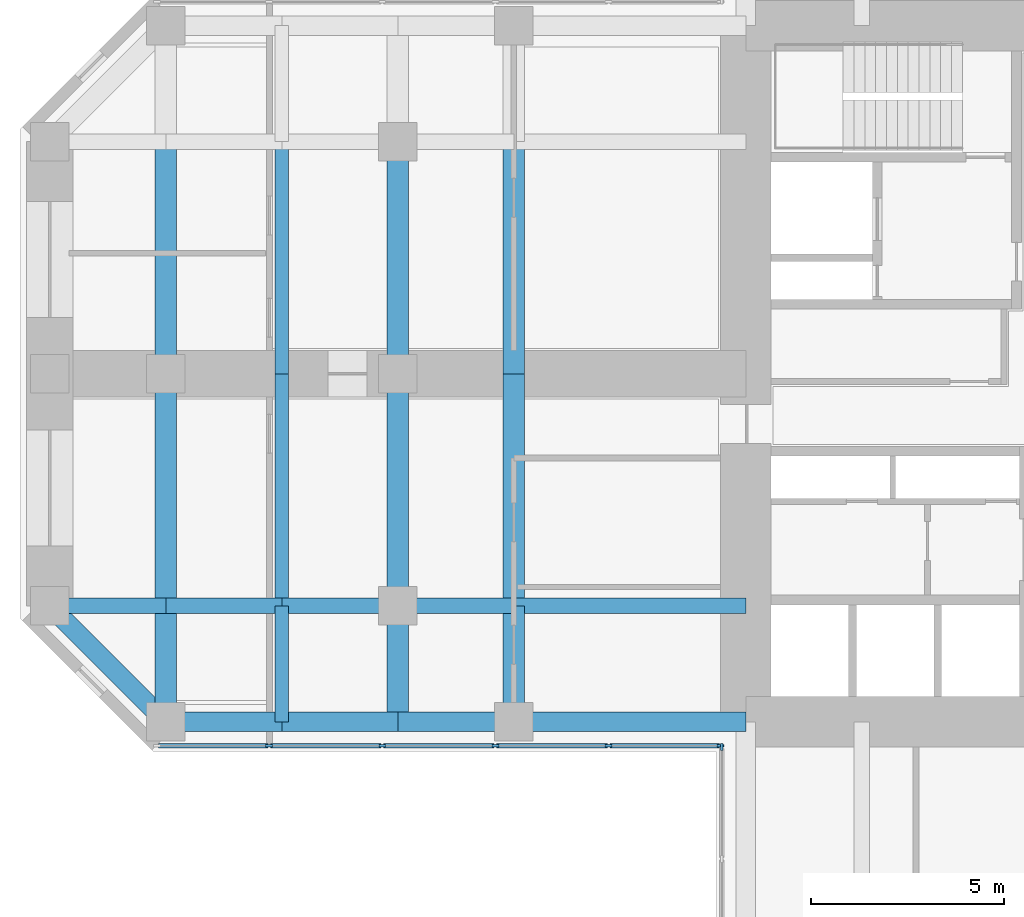
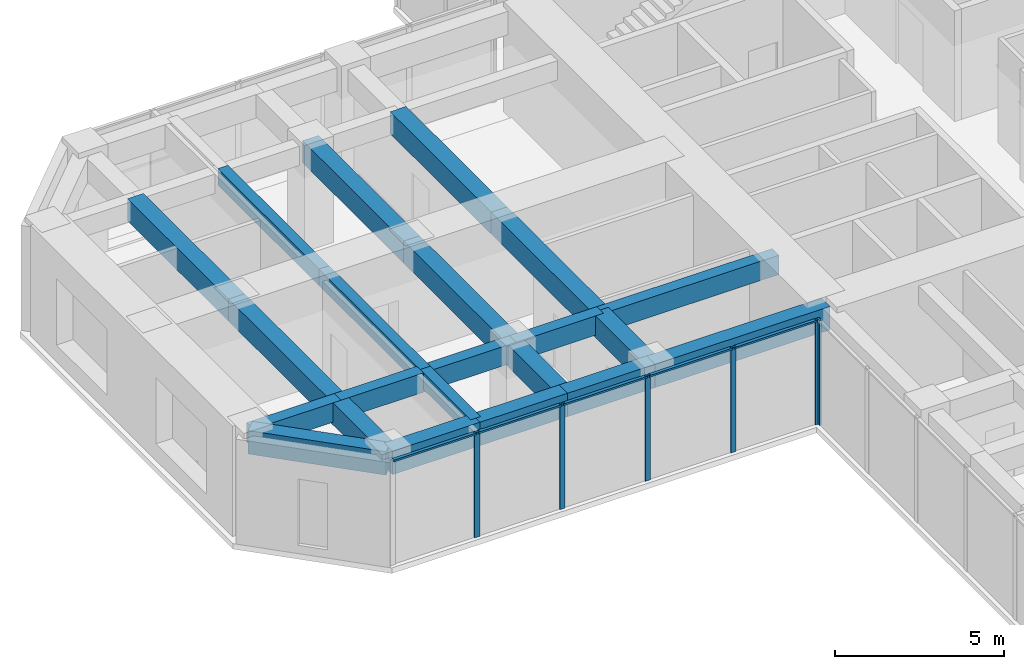
# One storey, part 3 of 13: 22 beams, 11 members, 2 elements without a shape of their own.
"""IFC4 building model written with IfcOpenShell, lengths in metres."""

from ifc_helpers import new_model, si_unit, direction, frame, origin, origin_2d, place, context, subcontext, project, spatial, rectangle, extrude, material, material_profile, profile_set, type_object, element, aggregate, save


model = new_model("IFC4")

# Units and contexts
model_context = context("Model", 3, precision=1e-05, world=origin(), true_north=direction((0.0, 1.0)))
body_context = subcontext(model_context, "Body", "Model", "MODEL_VIEW")
ifc_project = project(units=[si_unit("LENGTHUNIT", "METRE"), si_unit("AREAUNIT", "SQUARE_METRE"), si_unit("VOLUMEUNIT", "CUBIC_METRE"), si_unit("PLANEANGLEUNIT", "RADIAN"), si_unit("MASSUNIT", "GRAM", prefix="KILO")], contexts=[model_context])

# Site, building, storey
site_placement = place(None, origin())
site = spatial("IfcSite", under=ifc_project, at=site_placement, CompositionType="ELEMENT")
building_placement = place(site_placement, origin())
building = spatial("IfcBuilding", under=site, at=building_placement, Name="Torre Cruceta", CompositionType="ELEMENT")
storey_placement = place(building_placement, frame((0.0, 0.0, 152.5)))
storey = spatial("IfcBuildingStorey", under=building, at=storey_placement, Name="L37", CompositionType="ELEMENT", Elevation=152.5)

# Beams
ifc_material_1 = material(Name="Concrete G60 (fck 60 MPa)", Category="concrete")
ifc_material_profile_1 = material_profile(ifc_material_1, rectangle(XDim=0.39990234375, YDim=0.699951171875, at=origin_2d()), Name="RC 400X700")
ifc_profile_set_1 = profile_set([ifc_material_profile_1], Name="Concrete G60 (fck 60 MPa)")
beam_type_1 = type_object("IfcBeamType", Name="COLUMN LINE BEAM RC 400X700", PredefinedType="BEAM", material=ifc_profile_set_1)
beam_1_placement = place(storey_placement, frame((-9.0, -6.0, 3.449951171875), z_axis=(-1.0, 0.0, 0.0), x_axis=(0.0, -1.0, 0.0)))
element("IfcBeam", 1, at=beam_1_placement, inside=storey, type_object=beam_type_1, Name="LB5 L37 W col+ 1", PredefinedType="BEAM", context=body_context, shape_type="SweptSolid", body=[
    extrude(rectangle(XDim=0.39990234375, YDim=0.699951171875, at=origin_2d()), origin(), (0.0, 0.0, 1.0), 6.0),
])
for number, where, z_axis, x_axis, name in (
    (2, (-15.0, -6.0, 3.449951171875), (-1.0, 0.0, 0.0), (0.0, -1.0, 0.0), "LB5 L37 W col+ 2"),
    (3, (-18.0, -6.0, 3.449951171875), (-1.0, 0.0, 0.0), (0.0, -1.0, 0.0), "LB5 L37 W col+ 3"),
    (4, (-21.0, -6.0, 3.449951171875), (-1.0, 0.0, 0.0), (0.0, -1.0, 0.0), "LB5 L37 W col+ 4"),
    (5, (-24.0, -6.0, 3.449951171875), (-1.0, 0.0, 0.0), (0.0, -1.0, 0.0), "LB5 L37 W col+ 5"),
):
    element("IfcBeam", number, at=place(storey_placement, frame(where, z_axis=z_axis, x_axis=x_axis)), inside=storey, type_object=beam_type_1, Name=name, PredefinedType="BEAM", context=body_context, shape_type="SweptSolid", body=[
        extrude(rectangle(XDim=0.39990234375, YDim=0.699951171875, at=origin_2d()), origin(), (0.0, 0.0, 1.0), 3.0),
    ])
ifc_material_2 = material(Name="Concrete G60 (fck 60 MPa)", Category="concrete")
ifc_material_profile_2 = material_profile(ifc_material_2, rectangle(XDim=0.550048828125, YDim=0.800048828125, at=origin_2d()), Name="RC 550X800")
ifc_profile_set_2 = profile_set([ifc_material_profile_2], Name="Concrete G60 (fck 60 MPa)")
beam_type_2 = type_object("IfcBeamType", Name="CROSS BEAM RC 550X800", PredefinedType="BEAM", material=ifc_profile_set_2)
for number, where, z_axis, x_axis, name in (
    (6, (-15.0, 6.0, 3.39990234375), (0.0, -1.0, 0.0), (1.0, 0.0, 0.0), "GB5 L37 W cross15 2"),
    (7, (-15.0, 0.0, 3.39990234375), (0.0, -1.0, 0.0), (1.0, 0.0, 0.0), "GB5 L37 W cross15 3"),
):
    element("IfcBeam", number, at=place(storey_placement, frame(where, z_axis=z_axis, x_axis=x_axis)), inside=storey, type_object=beam_type_2, Name=name, PredefinedType="BEAM", context=body_context, shape_type="SweptSolid", body=[
        extrude(rectangle(XDim=0.550048828125, YDim=0.800048828125, at=origin_2d()), origin(), (0.0, 0.0, 1.0), 6.0),
    ])
beam_2_placement = place(storey_placement, frame((-15.0, -6.0, 3.39990234375), z_axis=(0.0, -1.0, 0.0), x_axis=(1.0, 0.0, 0.0)))
element("IfcBeam", 8, at=beam_2_placement, inside=storey, type_object=beam_type_2, Name="GB5 L37 W cross15 4", PredefinedType="BEAM", context=body_context, shape_type="SweptSolid", body=[
    extrude(rectangle(XDim=0.550048828125, YDim=0.800048828125, at=origin_2d()), origin(), (0.0, 0.0, 1.0), 3.0),
])
for number, where, z_axis, x_axis, name in (
    (9, (-18.0, 6.0, 3.39990234375), (0.0, -1.0, 0.0), (1.0, 0.0, 0.0), "GB5 L37 W cross18 2"),
    (10, (-18.0, 0.0, 3.39990234375), (0.0, -1.0, 0.0), (1.0, 0.0, 0.0), "GB5 L37 W cross18 3"),
):
    element("IfcBeam", number, at=place(storey_placement, frame(where, z_axis=z_axis, x_axis=x_axis)), inside=storey, type_object=beam_type_2, Name=name, PredefinedType="BEAM", context=body_context, shape_type="SweptSolid", body=[
        extrude(rectangle(XDim=0.550048828125, YDim=0.800048828125, at=origin_2d()), origin(), (0.0, 0.0, 1.0), 6.0),
    ])
beam_3_placement = place(storey_placement, frame((-18.0, -6.0, 3.39990234375), z_axis=(0.0, -1.0, 0.0), x_axis=(1.0, 0.0, 0.0)))
element("IfcBeam", 11, at=beam_3_placement, inside=storey, type_object=beam_type_2, Name="GB5 L37 W cross18 4", PredefinedType="BEAM", context=body_context, shape_type="SweptSolid", body=[
    extrude(rectangle(XDim=0.550048828125, YDim=0.800048828125, at=origin_2d()), origin(), (0.0, 0.0, 1.0), 3.0),
])
for number, where, z_axis, x_axis, name in (
    (12, (-24.0, 6.0, 3.39990234375), (0.0, -1.0, 0.0), (1.0, 0.0, 0.0), "GB5 L37 W cross24 2"),
    (13, (-24.0, 0.0, 3.39990234375), (0.0, -1.0, 0.0), (1.0, 0.0, 0.0), "GB5 L37 W cross24 3"),
):
    element("IfcBeam", number, at=place(storey_placement, frame(where, z_axis=z_axis, x_axis=x_axis)), inside=storey, type_object=beam_type_2, Name=name, PredefinedType="BEAM", context=body_context, shape_type="SweptSolid", body=[
        extrude(rectangle(XDim=0.550048828125, YDim=0.800048828125, at=origin_2d()), origin(), (0.0, 0.0, 1.0), 6.0),
    ])
beam_4_placement = place(storey_placement, frame((-24.0, -6.0, 3.39990234375), z_axis=(0.0, -1.0, 0.0), x_axis=(1.0, 0.0, 0.0)))
element("IfcBeam", 14, at=beam_4_placement, inside=storey, type_object=beam_type_2, Name="GB5 L37 W cross24 4", PredefinedType="BEAM", context=body_context, shape_type="SweptSolid", body=[
    extrude(rectangle(XDim=0.550048828125, YDim=0.800048828125, at=origin_2d()), origin(), (0.0, 0.0, 1.0), 3.0),
])

# Curtain wall, members
ifc_material_3 = material(Name="Aluminium unitised curtain wall", Category="aluminium")
curtain_wall_type = type_object("IfcCurtainWallType", Name="CURTAIN WALL CW-B OFFICE MID RISE", PredefinedType="USERDEFINED", material=ifc_material_3)
curtain_wall_1_placement = place(storey_placement, origin())
curtain_wall_1 = element("IfcCurtainWall", 15, at=curtain_wall_1_placement, inside=storey, type_object=curtain_wall_type, Name="CW-B L37 W side 14", ObjectType="UNITISED", PredefinedType="USERDEFINED")
ifc_material_4 = material(Name="Aluminium mullion", Category="aluminium")
ifc_material_profile_3 = material_profile(ifc_material_4, rectangle(XDim=0.06494140625, YDim=0.179931640625, at=origin_2d()), Name="AL 65X180")
ifc_profile_set_3 = profile_set([ifc_material_profile_3], Name="Aluminium mullion")
member_type_1 = type_object("IfcMemberType", Name="CW-B MULLION 65X180", PredefinedType="MULLION", material=ifc_profile_set_3)
member_1_placement = place(storey_placement, frame((-21.329345703125, -9.6201171875, 0.0), z_axis=(0.0, 0.0, 1.0), x_axis=(0.0, 1.0, 0.0)))
member_1 = element("IfcMember", 16, at=member_1_placement, type_object=member_type_1, Name="CW-B mullion 2", PredefinedType="MULLION", context=body_context, shape_type="SweptSolid", body=[
    extrude(rectangle(XDim=0.06494140625, YDim=0.179931640625, at=origin_2d()), origin(), (0.0, 0.0, 1.0), 3.800048828125),
])
member_2_placement = place(storey_placement, frame((-18.402099609375, -9.6201171875, 0.0), z_axis=(0.0, 0.0, 1.0), x_axis=(0.0, 1.0, 0.0)))
member_2 = element("IfcMember", 17, at=member_2_placement, type_object=member_type_1, Name="CW-B mullion 3", PredefinedType="MULLION", context=body_context, shape_type="SweptSolid", body=[
    extrude(rectangle(XDim=0.06494140625, YDim=0.179931640625, at=origin_2d()), origin(), (0.0, 0.0, 1.0), 3.800048828125),
])
member_3_placement = place(storey_placement, frame((-15.474609375, -9.6201171875, 0.0), z_axis=(0.0, 0.0, 1.0), x_axis=(0.0, 1.0, 0.0)))
member_3 = element("IfcMember", 18, at=member_3_placement, type_object=member_type_1, Name="CW-B mullion 4", PredefinedType="MULLION", context=body_context, shape_type="SweptSolid", body=[
    extrude(rectangle(XDim=0.06494140625, YDim=0.179931640625, at=origin_2d()), origin(), (0.0, 0.0, 1.0), 3.800048828125),
])
member_4_placement = place(storey_placement, frame((-12.54736328125, -9.6201171875, 0.0), z_axis=(0.0, 0.0, 1.0), x_axis=(0.0, 1.0, 0.0)))
member_4 = element("IfcMember", 19, at=member_4_placement, type_object=member_type_1, Name="CW-B mullion 5", PredefinedType="MULLION", context=body_context, shape_type="SweptSolid", body=[
    extrude(rectangle(XDim=0.06494140625, YDim=0.179931640625, at=origin_2d()), origin(), (0.0, 0.0, 1.0), 3.800048828125),
])
member_5_placement = place(storey_placement, frame((-9.652587890625, -9.6201171875, 0.0), z_axis=(0.0, 0.0, 1.0), x_axis=(0.0, 1.0, 0.0)))
member_5 = element("IfcMember", 20, at=member_5_placement, type_object=member_type_1, Name="CW-B mullion 6", PredefinedType="MULLION", context=body_context, shape_type="SweptSolid", body=[
    extrude(rectangle(XDim=0.06494140625, YDim=0.179931640625, at=origin_2d()), origin(), (0.0, 0.0, 1.0), 3.800048828125),
])

# Curtain wall, member
curtain_wall_2_placement = place(storey_placement, origin())
curtain_wall_2 = element("IfcCurtainWall", 21, at=curtain_wall_2_placement, inside=storey, type_object=curtain_wall_type, Name="CW-B L37 S side 15", ObjectType="UNITISED", PredefinedType="USERDEFINED")
member_6_placement = place(storey_placement, frame((-9.6201171875, -9.652587890625, 0.0), z_axis=(0.0, 0.0, 1.0), x_axis=(1.0, 0.0, 0.0)))
member_6 = element("IfcMember", 22, at=member_6_placement, type_object=member_type_1, Name="CW-B mullion 1", PredefinedType="MULLION", context=body_context, shape_type="SweptSolid", body=[
    extrude(rectangle(XDim=0.06494140625, YDim=0.179931640625, at=origin_2d()), origin(), (0.0, 0.0, 1.0), 3.800048828125),
])
aggregate(curtain_wall_2, [member_6])

# Member
ifc_material_5 = material(Name="Aluminium transom", Category="aluminium")
ifc_material_profile_4 = material_profile(ifc_material_5, rectangle(XDim=0.110107421875, YDim=0.06494140625, at=origin_2d()), Name="AL 110X65")
ifc_profile_set_4 = profile_set([ifc_material_profile_4], Name="Aluminium transom")
member_type_2 = type_object("IfcMemberType", Name="CW-B TRANSOM 65X110", PredefinedType="USERDEFINED", material=ifc_profile_set_4)
member_7_placement = place(storey_placement, frame((-24.19189453125, -9.6201171875, 3.767578125), z_axis=(1.0, 0.0, 0.0), x_axis=(0.0, 1.0, 0.0)))
member_7 = element("IfcMember", 23, at=member_7_placement, type_object=member_type_2, Name="CW-B transom 1", ObjectType="TRANSOM", PredefinedType="USERDEFINED", context=body_context, shape_type="SweptSolid", body=[
    extrude(rectangle(XDim=0.110107421875, YDim=0.06494140625, at=origin_2d()), origin(), (0.0, 0.0, 1.0), 2.829833984375),
])

member_8_placement = place(storey_placement, frame((-21.296875, -9.6201171875, 3.767578125), z_axis=(1.0, 0.0, 0.0), x_axis=(0.0, 1.0, 0.0)))
member_8 = element("IfcMember", 24, at=member_8_placement, type_object=member_type_2, Name="CW-B transom 2", ObjectType="TRANSOM", PredefinedType="USERDEFINED", context=body_context, shape_type="SweptSolid", body=[
    extrude(rectangle(XDim=0.110107421875, YDim=0.06494140625, at=origin_2d()), origin(), (0.0, 0.0, 1.0), 2.8623046875),
])

member_9_placement = place(storey_placement, frame((-18.36962890625, -9.6201171875, 3.767578125), z_axis=(1.0, 0.0, 0.0), x_axis=(0.0, 1.0, 0.0)))
member_9 = element("IfcMember", 25, at=member_9_placement, type_object=member_type_2, Name="CW-B transom 3", ObjectType="TRANSOM", PredefinedType="USERDEFINED", context=body_context, shape_type="SweptSolid", body=[
    extrude(rectangle(XDim=0.110107421875, YDim=0.06494140625, at=origin_2d()), origin(), (0.0, 0.0, 1.0), 2.8623046875),
])

member_10_placement = place(storey_placement, frame((-15.442138671875, -9.6201171875, 3.767578125), z_axis=(1.0, 0.0, 0.0), x_axis=(0.0, 1.0, 0.0)))
member_10 = element("IfcMember", 26, at=member_10_placement, type_object=member_type_2, Name="CW-B transom 4", ObjectType="TRANSOM", PredefinedType="USERDEFINED", context=body_context, shape_type="SweptSolid", body=[
    extrude(rectangle(XDim=0.110107421875, YDim=0.06494140625, at=origin_2d()), origin(), (0.0, 0.0, 1.0), 2.8623046875),
])

member_11_placement = place(storey_placement, frame((-12.514892578125, -9.6201171875, 3.767578125), z_axis=(1.0, 0.0, 0.0), x_axis=(0.0, 1.0, 0.0)))
member_11 = element("IfcMember", 27, at=member_11_placement, type_object=member_type_2, Name="CW-B transom 5", ObjectType="TRANSOM", PredefinedType="USERDEFINED", context=body_context, shape_type="SweptSolid", body=[
    extrude(rectangle(XDim=0.110107421875, YDim=0.06494140625, at=origin_2d()), origin(), (0.0, 0.0, 1.0), 2.829833984375),
])

aggregate(curtain_wall_1, [member_1, member_2, member_3, member_4, member_5, member_7, member_8, member_9, member_10, member_11])

# Beams
ifc_material_6 = material(Name="Concrete G60 (fck 60 MPa)", Category="concrete")
ifc_material_profile_5 = material_profile(ifc_material_6, rectangle(XDim=0.35009765625, YDim=0.60009765625, at=origin_2d()), Name="RC 350X600")
ifc_profile_set_5 = profile_set([ifc_material_profile_5], Name="Concrete G60 (fck 60 MPa)")
beam_type_3 = type_object("IfcBeamType", Name="SECONDARY BEAM RC 350X600", PredefinedType="JOIST", material=ifc_profile_set_5)
for number, where, z_axis, x_axis, name in (
    (28, (-21.0, 6.0, 3.5), (0.0, -1.0, 0.0), (1.0, 0.0, 0.0), "JB5 L37 W sec21 2"),
    (29, (-21.0, 0.0, 3.5), (0.0, -1.0, 0.0), (1.0, 0.0, 0.0), "JB5 L37 W sec21 3"),
):
    element("IfcBeam", number, at=place(storey_placement, frame(where, z_axis=z_axis, x_axis=x_axis)), inside=storey, type_object=beam_type_3, Name=name, PredefinedType="JOIST", context=body_context, shape_type="SweptSolid", body=[
        extrude(rectangle(XDim=0.35009765625, YDim=0.60009765625, at=origin_2d()), origin(), (0.0, 0.0, 1.0), 6.0),
    ])
beam_5_placement = place(storey_placement, frame((-21.0, -6.0, 3.5), z_axis=(0.0, -1.0, 0.0), x_axis=(1.0, 0.0, 0.0)))
element("IfcBeam", 30, at=beam_5_placement, inside=storey, type_object=beam_type_3, Name="JB5 L37 W sec21 4", PredefinedType="JOIST", context=body_context, shape_type="SweptSolid", body=[
    extrude(rectangle(XDim=0.35009765625, YDim=0.60009765625, at=origin_2d()), origin(), (0.0, 0.0, 1.0), 3.0),
])
ifc_material_7 = material(Name="Concrete G60 (fck 60 MPa)", Category="concrete")
ifc_material_profile_6 = material_profile(ifc_material_7, rectangle(XDim=0.5, YDim=0.85009765625, at=origin_2d()), Name="RC 500X850")
ifc_profile_set_6 = profile_set([ifc_material_profile_6], Name="Concrete G60 (fck 60 MPa)")
beam_type_4 = type_object("IfcBeamType", Name="SPANDREL BEAM RC 500X850", PredefinedType="SPANDREL", material=ifc_profile_set_6)
beam_6_placement = place(storey_placement, frame((-9.0, -9.0, 3.375), z_axis=(-1.0, 0.0, 0.0), x_axis=(0.0, -1.0, 0.0)))
element("IfcBeam", 31, at=beam_6_placement, inside=storey, type_object=beam_type_4, Name="SB5 L37 W side+ 1", PredefinedType="SPANDREL", context=body_context, shape_type="SweptSolid", body=[
    extrude(rectangle(XDim=0.5, YDim=0.85009765625, at=origin_2d()), origin(), (0.0, 0.0, 1.0), 6.0),
])
for number, where, z_axis, x_axis, name in (
    (32, (-15.0, -9.0, 3.375), (-1.0, 0.0, 0.0), (0.0, -1.0, 0.0), "SB5 L37 W side+ 2"),
    (33, (-18.0, -9.0, 3.375), (-1.0, 0.0, 0.0), (0.0, -1.0, 0.0), "SB5 L37 W side+ 3"),
    (34, (-21.0, -9.0, 3.375), (-1.0, 0.0, 0.0), (0.0, -1.0, 0.0), "SB5 L37 W side+ 4"),
):
    element("IfcBeam", number, at=place(storey_placement, frame(where, z_axis=z_axis, x_axis=x_axis)), inside=storey, type_object=beam_type_4, Name=name, PredefinedType="SPANDREL", context=body_context, shape_type="SweptSolid", body=[
        extrude(rectangle(XDim=0.5, YDim=0.85009765625, at=origin_2d()), origin(), (0.0, 0.0, 1.0), 3.0),
    ])
beam_7_placement = place(storey_placement, frame((-24.0, -9.0, 3.375), z_axis=(-0.707106781187, 0.707106781187, 0.0), x_axis=(-0.707106781187, -0.707106781187, 0.0)))
element("IfcBeam", 35, at=beam_7_placement, inside=storey, type_object=beam_type_4, Name="SB5 L37 W side+ 5", PredefinedType="SPANDREL", context=body_context, shape_type="SweptSolid", body=[
    extrude(rectangle(XDim=0.5, YDim=0.85009765625, at=origin_2d()), origin(), (0.0, 0.0, 1.0), 4.24267578125),
])

save(model, "model.ifc")
